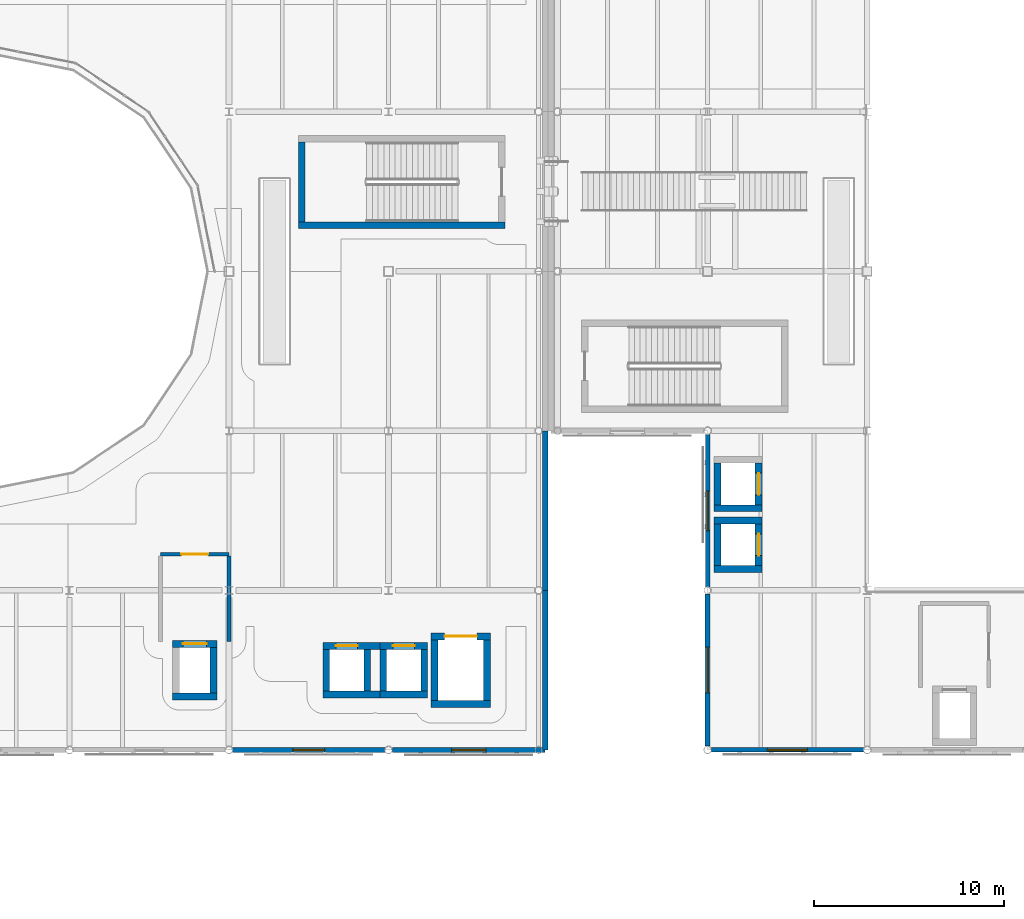
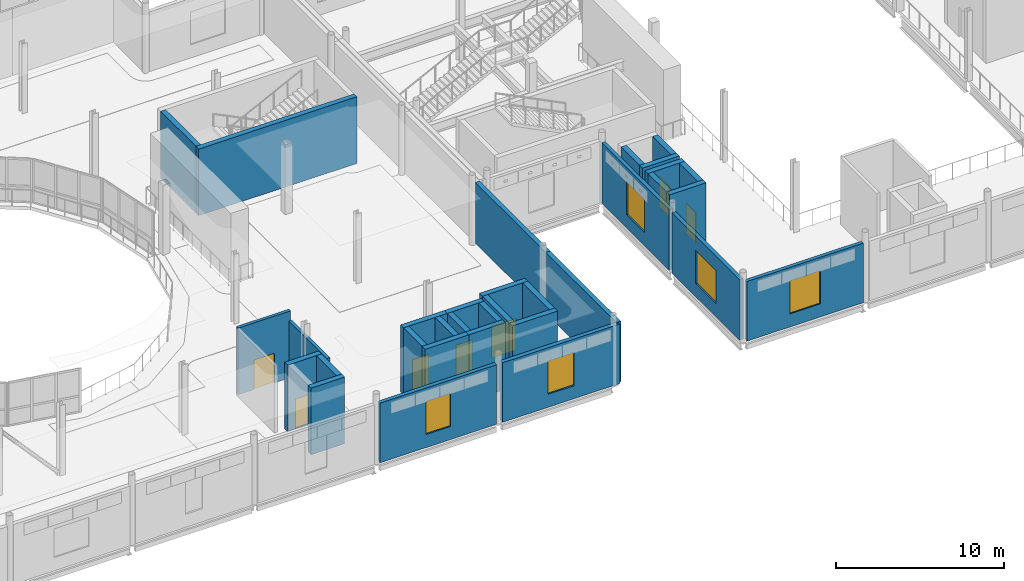
# One storey, part 66 of 104: 33 walls, 7 doors, 5 windows, 12 openings.
"""IFC4 building model written with IfcOpenShell, lengths in metres."""

from ifc_helpers import new_model, si_unit, direction, frame, frame_2d, origin, place, context, subcontext, project, spatial, rectangle, extrude, material, layer, layer_set, type_object, element, fill, save


model = new_model("IFC4")

# Units and contexts
model_context = context("Model", 3, precision=1e-05, world=origin(), true_north=direction((0.0, 1.0)))
body_context = subcontext(model_context, "Body", "Model", "MODEL_VIEW")
ifc_project = project(units=[si_unit("LENGTHUNIT", "METRE"), si_unit("AREAUNIT", "SQUARE_METRE"), si_unit("VOLUMEUNIT", "CUBIC_METRE"), si_unit("PLANEANGLEUNIT", "RADIAN"), si_unit("MASSUNIT", "GRAM", prefix="KILO"), si_unit("THERMODYNAMICTEMPERATUREUNIT", "KELVIN")], contexts=[model_context])

# Site, building, storey
site_placement = place(None, origin())
site = spatial("IfcSite", under=ifc_project, at=site_placement, CompositionType="ELEMENT")
building_placement = place(site_placement, origin())
building = spatial("IfcBuilding", under=site, at=building_placement, Name="Lustrewick Department Store", CompositionType="ELEMENT")
storey_placement = place(building_placement, frame((0.0, 0.0, 11.39990234375)))
storey = spatial("IfcBuildingStorey", under=building, at=storey_placement, Name="L03", CompositionType="ELEMENT", Elevation=11.39990234375)

# Wall, opening, window
ifc_material_1 = material(Name="Precast concrete C40", Category="concrete")
ifc_layer_1 = layer(ifc_material_1, 0.239990234375, Name="Precast concrete C40")
ifc_layer_set_1 = layer_set([ifc_layer_1], Name="Precast concrete C40")
wall_type_1 = type_object("IfcWallType", Name="EW01", PredefinedType="STANDARD", material=ifc_layer_set_1)
wall_1_placement = place(storey_placement, frame((67.39794921875, 42.0, 0.0), z_axis=(0.0, 0.0, 1.0), x_axis=(1.0, 0.0, 0.0)))
wall_1 = element("IfcWall", 1, at=wall_1_placement, inside=storey, type_object=wall_type_1, Name="L03 V2 Exterior Wall EW01", PredefinedType="STANDARD", context=body_context, shape_type="SweptSolid", body=[
    extrude(rectangle(XDim=8.004150390625, YDim=0.239990234375, at=frame_2d((4.001953125, 0.0))), origin(), (0.0, 0.0, 1.0), 4.3310546875),
])
opening_1_placement = place(wall_1_placement, frame((2.951904296875, 0.0, 0.949951171875)))
opening_1 = element("IfcOpeningElement", 2, at=opening_1_placement, cuts=wall_1, Name="Opening WN17", PredefinedType="OPENING", context=body_context, shape_type="SweptSolid", body=[
    extrude(rectangle(XDim=2.10009765625, YDim=2.39990234375, at=frame_2d((1.050048828125, 1.199951171875))), frame((0.0, 0.1298828125, 0.0), z_axis=(0.0, -1.0, 0.0), x_axis=(1.0, 0.0, 0.0)), (0.0, 0.0, 1.0), 0.260009765625),
])
ifc_material_2 = material(Name="Thermally broken Low-E triple-glazed window", Category="glass")
window_type_1 = type_object("IfcWindowType", Name="WN17", PartitioningType="DOUBLE_PANEL_VERTICAL", PredefinedType="WINDOW", material=ifc_material_2)
window_1_placement = place(opening_1_placement, origin())
window_1 = element("IfcWindow", 3, at=window_1_placement, inside=storey, type_object=window_type_1, Name="L03 Art Nouveau Window WN17", OverallHeight=2.39990234375, OverallWidth=2.10009765625, PartitioningType="SINGLE_PANEL", PredefinedType="WINDOW", context=body_context, shape_type="SweptSolid", body=[
    extrude(rectangle(XDim=2.10009765625, YDim=2.39990234375, at=frame_2d((1.050048828125, 1.199951171875))), frame((0.0, 0.030029296875, 0.0), z_axis=(0.0, -1.0, 0.0), x_axis=(1.0, 0.0, 0.0)), (0.0, 0.0, 1.0), 0.06005859375),
])
fill(opening_1, window_1)

wall_2_placement = place(storey_placement, frame((67.199951171875, 58.60205078125, 0.0), z_axis=(0.0, 0.0, 1.0), x_axis=(0.0, -1.0, 0.0)))
wall_2 = element("IfcWall", 4, at=wall_2_placement, inside=storey, type_object=wall_type_1, Name="L03 V2 Exterior Wall EW01", PredefinedType="STANDARD", context=body_context, shape_type="SweptSolid", body=[
    extrude(rectangle(XDim=8.0185546875, YDim=0.239990234375, at=frame_2d((4.00927734375, 0.0))), origin(), (0.0, 0.0, 1.0), 4.397216796875),
])
opening_2_placement = place(wall_2_placement, frame((2.959228515625, 0.0, 0.949951171875)))
opening_2 = element("IfcOpeningElement", 5, at=opening_2_placement, cuts=wall_2, Name="Opening WN17", PredefinedType="OPENING", context=body_context, shape_type="SweptSolid", body=[
    extrude(rectangle(XDim=2.10009765625, YDim=2.39990234375, at=frame_2d((1.050048828125, 1.199951171875))), frame((0.0, 0.1298828125, 0.0), z_axis=(0.0, -1.0, 0.0), x_axis=(1.0, 0.0, 0.0)), (0.0, 0.0, 1.0), 0.260009765625),
])
window_2_placement = place(opening_2_placement, origin())
window_2 = element("IfcWindow", 6, at=window_2_placement, inside=storey, type_object=window_type_1, Name="L03 Art Nouveau Window WN17", OverallHeight=2.39990234375, OverallWidth=2.10009765625, PartitioningType="SINGLE_PANEL", PredefinedType="WINDOW", context=body_context, shape_type="SweptSolid", body=[
    extrude(rectangle(XDim=2.10009765625, YDim=2.39990234375, at=frame_2d((1.050048828125, 1.199951171875))), frame((0.0, 0.030029296875, 0.0), z_axis=(0.0, -1.0, 0.0), x_axis=(1.0, 0.0, 0.0)), (0.0, 0.0, 1.0), 0.06005859375),
])
fill(opening_2, window_2)

ifc_layer_2 = layer(ifc_material_1, 0.260009765625, Name="Precast concrete C40")
ifc_layer_set_2 = layer_set([ifc_layer_2], Name="Precast concrete C40")
wall_type_2 = type_object("IfcWallType", Name="EW02", PredefinedType="STANDARD", material=ifc_layer_set_2)
wall_3_placement = place(storey_placement, frame((42.197998046875, 42.0, 0.0), z_axis=(0.0, 0.0, 1.0), x_axis=(1.0, 0.0, 0.0)))
wall_3 = element("IfcWall", 7, at=wall_3_placement, inside=storey, type_object=wall_type_2, Name="L03 V1 Exterior Wall EW02", PredefinedType="STANDARD", context=body_context, shape_type="SweptSolid", body=[
    extrude(rectangle(XDim=8.00390625, YDim=0.260009765625, at=frame_2d((4.001953125, 0.0))), origin(), (0.0, 0.0, 1.0), 4.3310546875),
])
opening_3_placement = place(wall_3_placement, frame((3.162109375, 0.0, 0.949951171875)))
opening_3 = element("IfcOpeningElement", 8, at=opening_3_placement, cuts=wall_3, Name="Opening WN15", PredefinedType="OPENING", context=body_context, shape_type="SweptSolid", body=[
    extrude(rectangle(XDim=1.679931640625, YDim=2.39990234375, at=frame_2d((0.83984375, 1.199951171875))), frame((0.0, 0.14013671875, 0.0), z_axis=(0.0, -1.0, 0.0), x_axis=(1.0, 0.0, 0.0)), (0.0, 0.0, 1.0), 0.280029296875),
])
window_type_2 = type_object("IfcWindowType", Name="WN15", PartitioningType="DOUBLE_PANEL_VERTICAL", PredefinedType="WINDOW", material=ifc_material_2)
window_3_placement = place(opening_3_placement, origin())
window_3 = element("IfcWindow", 9, at=window_3_placement, inside=storey, type_object=window_type_2, Name="L03 Art Nouveau Window WN15", OverallHeight=2.39990234375, OverallWidth=1.679931640625, PartitioningType="SINGLE_PANEL", PredefinedType="WINDOW", context=body_context, shape_type="SweptSolid", body=[
    extrude(rectangle(XDim=1.679931640625, YDim=2.39990234375, at=frame_2d((0.83984375, 1.199951171875))), frame((0.0, 0.030029296875, 0.0), z_axis=(0.0, -1.0, 0.0), x_axis=(1.0, 0.0, 0.0)), (0.0, 0.0, 1.0), 0.06005859375),
])
fill(opening_3, window_3)

wall_4_placement = place(storey_placement, frame((67.199951171875, 50.216552734375, 0.0), z_axis=(0.0, 0.0, 1.0), x_axis=(0.0, -1.0, 0.0)))
wall_4 = element("IfcWall", 10, at=wall_4_placement, inside=storey, type_object=wall_type_2, Name="L03 V2 Exterior Wall EW02", PredefinedType="STANDARD", context=body_context, shape_type="SweptSolid", body=[
    extrude(rectangle(XDim=8.0185546875, YDim=0.260009765625, at=frame_2d((4.00927734375, 0.0))), origin(), (0.0, 0.0, 1.0), 4.397216796875),
])
opening_4_placement = place(wall_4_placement, frame((2.809326171875, 0.0, 0.949951171875)))
opening_4 = element("IfcOpeningElement", 11, at=opening_4_placement, cuts=wall_4, Name="Opening WN18", PredefinedType="OPENING", context=body_context, shape_type="SweptSolid", body=[
    extrude(rectangle(XDim=2.39990234375, YDim=2.39990234375, at=frame_2d((1.199951171875, 1.199951171875))), frame((0.0, 0.14013671875, 0.0), z_axis=(0.0, -1.0, 0.0), x_axis=(1.0, 0.0, 0.0)), (0.0, 0.0, 1.0), 0.280029296875),
])
window_type_3 = type_object("IfcWindowType", Name="WN18", PartitioningType="DOUBLE_PANEL_VERTICAL", PredefinedType="WINDOW", material=ifc_material_2)
window_4_placement = place(opening_4_placement, origin())
window_4 = element("IfcWindow", 12, at=window_4_placement, inside=storey, type_object=window_type_3, Name="L03 Art Nouveau Window WN18", OverallHeight=2.39990234375, OverallWidth=2.39990234375, PartitioningType="SINGLE_PANEL", PredefinedType="WINDOW", context=body_context, shape_type="SweptSolid", body=[
    extrude(rectangle(XDim=2.39990234375, YDim=2.39990234375, at=frame_2d((1.199951171875, 1.199951171875))), frame((0.0, 0.030029296875, 0.0), z_axis=(0.0, -1.0, 0.0), x_axis=(1.0, 0.0, 0.0)), (0.0, 0.0, 1.0), 0.06005859375),
])
fill(opening_4, window_4)

ifc_layer_3 = layer(ifc_material_1, 0.280029296875, Name="Precast concrete C40")
ifc_layer_set_3 = layer_set([ifc_layer_3], Name="Precast concrete C40")
wall_type_3 = type_object("IfcWallType", Name="EW03", PredefinedType="STANDARD", material=ifc_layer_set_3)
wall_5_placement = place(storey_placement, frame((50.597900390625, 42.0, 0.0), z_axis=(0.0, 0.0, 1.0), x_axis=(1.0, 0.0, 0.0)))
wall_5 = element("IfcWall", 13, at=wall_5_placement, inside=storey, type_object=wall_type_3, Name="L03 V1 Exterior Wall EW03", PredefinedType="STANDARD", context=body_context, shape_type="SweptSolid", body=[
    extrude(rectangle(XDim=8.052001953125, YDim=0.280029296875, at=frame_2d((4.02587890625, 0.0))), origin(), (0.0, 0.0, 1.0), 4.3310546875),
])
opening_5_placement = place(wall_5_placement, frame((3.1259765625, 0.0, 0.949951171875)))
opening_5 = element("IfcOpeningElement", 14, at=opening_5_placement, cuts=wall_5, Name="Opening WN16", PredefinedType="OPENING", context=body_context, shape_type="SweptSolid", body=[
    extrude(rectangle(XDim=1.800048828125, YDim=2.39990234375, at=frame_2d((0.89990234375, 1.199951171875))), frame((0.0, 0.14990234375, 0.0), z_axis=(0.0, -1.0, 0.0), x_axis=(1.0, 0.0, 0.0)), (0.0, 0.0, 1.0), 0.300048828125),
])
window_type_4 = type_object("IfcWindowType", Name="WN16", PartitioningType="DOUBLE_PANEL_VERTICAL", PredefinedType="WINDOW", material=ifc_material_2)
window_5_placement = place(opening_5_placement, origin())
window_5 = element("IfcWindow", 15, at=window_5_placement, inside=storey, type_object=window_type_4, Name="L03 Art Nouveau Window WN16", OverallHeight=2.39990234375, OverallWidth=1.800048828125, PartitioningType="SINGLE_PANEL", PredefinedType="WINDOW", context=body_context, shape_type="SweptSolid", body=[
    extrude(rectangle(XDim=1.800048828125, YDim=2.39990234375, at=frame_2d((0.89990234375, 1.199951171875))), frame((0.0, 0.030029296875, 0.0), z_axis=(0.0, -1.0, 0.0), x_axis=(1.0, 0.0, 0.0)), (0.0, 0.0, 1.0), 0.06005859375),
])
fill(opening_5, window_5)

# Walls
ifc_layer_4 = layer(ifc_material_1, 0.300048828125, Name="Precast concrete C40")
ifc_layer_set_4 = layer_set([ifc_layer_4], Name="Precast concrete C40")
wall_type_4 = type_object("IfcWallType", Name="EW04", PredefinedType="STANDARD", material=ifc_layer_set_4)
wall_6_placement = place(storey_placement, frame((58.64990234375, 42.0, 0.0), z_axis=(0.0, 0.0, 1.0), x_axis=(0.0, 1.0, 0.0)))
element("IfcWall", 16, at=wall_6_placement, inside=storey, type_object=wall_type_4, Name="L03 V1 Exterior Wall EW04", PredefinedType="STANDARD", context=body_context, shape_type="SweptSolid", body=[
    extrude(rectangle(XDim=8.39990234375, YDim=0.300048828125, at=frame_2d((4.199951171875, 0.0))), origin(), (0.0, 0.0, 1.0), 4.397216796875),
])
wall_7_placement = place(storey_placement, frame((58.64990234375, 50.39990234375, 0.0), z_axis=(0.0, 0.0, 1.0), x_axis=(0.0, 1.0, 0.0)))
element("IfcWall", 17, at=wall_7_placement, inside=storey, type_object=wall_type_4, Name="L03 V1 Exterior Wall EW04", PredefinedType="STANDARD", context=body_context, shape_type="SweptSolid", body=[
    extrude(rectangle(XDim=8.400146484375, YDim=0.300048828125, at=frame_2d((4.2001953125, 0.0))), origin(), (0.0, 0.0, 1.0), 4.397216796875),
])

# Wall, opening, door
ifc_material_3 = material(Name="Autoclaved aerated concrete blockwork and fire board", Category="masonry")
ifc_layer_5 = layer(ifc_material_3, 0.205078125, Name="Autoclaved aerated concrete blockwork and fire board")
ifc_layer_set_5 = layer_set([ifc_layer_5], Name="Autoclaved aerated concrete blockwork and fire board")
wall_type_5 = type_object("IfcWallType", Name="PW02", PredefinedType="PARTITIONING", material=ifc_layer_set_5)
wall_8_placement = place(storey_placement, frame((42.0, 52.300048828125, 0.0), z_axis=(0.0, 0.0, 1.0), x_axis=(-1.0, 0.0, 0.0)))
wall_8 = element("IfcWall", 18, at=wall_8_placement, inside=storey, type_object=wall_type_5, Name="L03 Firefighting Lift Lobby FFL-01 PW02", PredefinedType="PARTITIONING", context=body_context, shape_type="SweptSolid", body=[
    extrude(rectangle(XDim=3.60009765625, YDim=0.205078125, at=frame_2d((1.800048828125, 0.0))), origin(), (0.0, 0.0, 1.0), 4.84521484375),
])
opening_6_placement = place(wall_8_placement, frame((1.10009765625, 0.0, 0.0)))
opening_6 = element("IfcOpeningElement", 19, at=opening_6_placement, cuts=wall_8, Name="Opening D-L03-041", PredefinedType="OPENING", context=body_context, shape_type="SweptSolid", body=[
    extrude(rectangle(XDim=1.39990234375, YDim=2.14990234375, at=frame_2d((0.699951171875, 1.074951171875))), frame((0.0, 0.112548828125, 0.0), z_axis=(0.0, -1.0, 0.0), x_axis=(1.0, 0.0, 0.0)), (0.0, 0.0, 1.0), 0.22509765625),
])
ifc_material_4 = material(Name="Steel fire door Class B EI 60", Category="steel")
door_type_1 = type_object("IfcDoorType", Name="DT-08", OperationType="NOTDEFINED", PredefinedType="DOOR", material=ifc_material_4)
door_1_placement = place(opening_6_placement, origin())
door_1 = element("IfcDoor", 20, at=door_1_placement, inside=storey, type_object=door_type_1, Name="L03 Firefighting Lift Lobby FFL-01 Door D-L03-041", OperationType="SINGLE_SWING_LEFT", OverallHeight=2.14990234375, OverallWidth=1.39990234375, PredefinedType="DOOR", context=body_context, shape_type="SweptSolid", body=[
    extrude(rectangle(XDim=1.39990234375, YDim=2.14990234375, at=frame_2d((0.699951171875, 1.074951171875))), frame((0.0, 0.02490234375, 0.0), z_axis=(0.0, -1.0, 0.0), x_axis=(1.0, 0.0, 0.0)), (0.0, 0.0, 1.0), 0.050048828125),
])
fill(opening_6, door_1)

# Walls
wall_9_placement = place(storey_placement, frame((42.0, 47.699951171875, 0.0), z_axis=(0.0, 0.0, 1.0), x_axis=(0.0, 1.0, 0.0)))
element("IfcWall", 21, at=wall_9_placement, inside=storey, type_object=wall_type_5, Name="L03 Firefighting Lift Lobby FFL-01 PW02", PredefinedType="PARTITIONING", context=body_context, shape_type="SweptSolid", body=[
    extrude(rectangle(XDim=4.50244140625, YDim=0.205078125, at=frame_2d((2.251220703125, 0.0))), origin(), (0.0, 0.0, 1.0), 4.13720703125),
])
ifc_material_5 = material(Name="Concrete C40", Category="concrete")
ifc_layer_6 = layer(ifc_material_5, 0.360107421875, Name="Concrete C40")
ifc_layer_set_6 = layer_set([ifc_layer_6], Name="Concrete C40")
wall_type_6 = type_object("IfcWallType", Name="SW04", PredefinedType="SHEAR", material=ifc_layer_set_6)
wall_10_placement = place(storey_placement, frame((39.0400390625, 44.820068359375, 0.0), z_axis=(0.0, 0.0, 1.0), x_axis=(1.0, 0.0, 0.0)))
element("IfcWall", 22, at=wall_10_placement, inside=storey, type_object=wall_type_6, Name="L03 Lift FFL-01 Shaft Wall -Y", PredefinedType="SHEAR", context=body_context, shape_type="SweptSolid", body=[
    extrude(rectangle(XDim=2.320068359375, YDim=0.360107421875, at=frame_2d((1.16015625, 0.0))), origin(), (0.0, 0.0, 1.0), 4.84521484375),
])
wall_11_placement = place(storey_placement, frame((41.179931640625, 45.0, 0.0), z_axis=(0.0, 0.0, 1.0), x_axis=(0.0, 1.0, 0.0)))
element("IfcWall", 23, at=wall_11_placement, inside=storey, type_object=wall_type_6, Name="L03 Lift FFL-01 Shaft Wall +X", PredefinedType="SHEAR", context=body_context, shape_type="SweptSolid", body=[
    extrude(rectangle(XDim=2.39990234375, YDim=0.360107421875, at=frame_2d((1.199951171875, 0.0))), origin(), (0.0, 0.0, 1.0), 4.84521484375),
])

# Wall, opening, door
wall_12_placement = place(storey_placement, frame((41.360107421875, 47.580078125, 0.0), z_axis=(0.0, 0.0, 1.0), x_axis=(-1.0, 0.0, 0.0)))
wall_12 = element("IfcWall", 24, at=wall_12_placement, inside=storey, type_object=wall_type_6, Name="L03 Lift FFL-01 Shaft Wall +Y", PredefinedType="SHEAR", context=body_context, shape_type="SweptSolid", body=[
    extrude(rectangle(XDim=2.320068359375, YDim=0.360107421875, at=frame_2d((1.16015625, 0.0))), origin(), (0.0, 0.0, 1.0), 4.84521484375),
])
opening_7_placement = place(wall_12_placement, frame((0.534912109375, 0.0, 0.0)))
opening_7 = element("IfcOpeningElement", 25, at=opening_7_placement, cuts=wall_12, Name="Opening LD-L03-01", PredefinedType="OPENING", context=body_context, shape_type="SweptSolid", body=[
    extrude(rectangle(XDim=1.25, YDim=2.199951171875, at=frame_2d((0.625, 1.10009765625))), frame((0.0, 0.18994140625, 0.0), z_axis=(0.0, -1.0, 0.0), x_axis=(1.0, 0.0, 0.0)), (0.0, 0.0, 1.0), 0.380126953125),
])
ifc_material_6 = material(Name="Stainless steel firefighting lift landing door EI 90", Category="steel")
door_type_2 = type_object("IfcDoorType", Name="DT-15", OperationType="NOTDEFINED", PredefinedType="DOOR", material=ifc_material_6)
door_2_placement = place(opening_7_placement, frame((1.25, 0.0, 0.0), z_axis=(0.0, 0.0, 1.0), x_axis=(-1.0, 0.0, 0.0)))
door_2 = element("IfcDoor", 26, at=door_2_placement, inside=storey, type_object=door_type_2, Name="L03 Lift FFL-01 Sliding Landing Door LD-L03-01", OperationType="DOUBLE_DOOR_SLIDING", OverallHeight=2.199951171875, OverallWidth=1.25, PredefinedType="DOOR", context=body_context, shape_type="SweptSolid", body=[
    extrude(rectangle(XDim=1.25, YDim=2.199951171875, at=frame_2d((0.625, 1.10009765625))), frame((0.0, 0.02490234375, 0.0), z_axis=(0.0, -1.0, 0.0), x_axis=(1.0, 0.0, 0.0)), (0.0, 0.0, 1.0), 0.050048828125),
])
fill(opening_7, door_2)

# Walls
wall_13_placement = place(storey_placement, frame((46.93994140625, 44.919921875, 0.0), z_axis=(0.0, 0.0, 1.0), x_axis=(1.0, 0.0, 0.0)))
element("IfcWall", 27, at=wall_13_placement, inside=storey, type_object=wall_type_6, Name="L03 Lift PL-01 Shaft Wall -Y", PredefinedType="SHEAR", context=body_context, shape_type="SweptSolid", body=[
    extrude(rectangle(XDim=3.0, YDim=0.360107421875, at=frame_2d((1.5, 0.0))), origin(), (0.0, 0.0, 1.0), 4.84521484375),
])
wall_14_placement = place(storey_placement, frame((49.280029296875, 45.10009765625, 0.0), z_axis=(0.0, 0.0, 1.0), x_axis=(0.0, 1.0, 0.0)))
element("IfcWall", 28, at=wall_14_placement, inside=storey, type_object=wall_type_6, Name="L03 Lift PL-01 Shaft Wall +X", PredefinedType="SHEAR", context=body_context, shape_type="SweptSolid", body=[
    extrude(rectangle(XDim=2.199951171875, YDim=0.360107421875, at=frame_2d((1.10009765625, 0.0))), origin(), (0.0, 0.0, 1.0), 4.84521484375),
])

# Wall, opening, door
wall_15_placement = place(storey_placement, frame((49.93994140625, 47.47998046875, 0.0), z_axis=(0.0, 0.0, 1.0), x_axis=(-1.0, 0.0, 0.0)))
wall_15 = element("IfcWall", 29, at=wall_15_placement, inside=storey, type_object=wall_type_6, Name="L03 Lift PL-01 Shaft Wall +Y", PredefinedType="SHEAR", context=body_context, shape_type="SweptSolid", body=[
    extrude(rectangle(XDim=3.0, YDim=0.360107421875, at=frame_2d((1.5, 0.0))), origin(), (0.0, 0.0, 1.0), 4.84521484375),
])
opening_8_placement = place(wall_15_placement, frame((1.1650390625, 0.0, 0.0)))
opening_8 = element("IfcOpeningElement", 30, at=opening_8_placement, cuts=wall_15, Name="Opening LD-L03-05", PredefinedType="OPENING", context=body_context, shape_type="SweptSolid", body=[
    extrude(rectangle(XDim=1.14990234375, YDim=2.199951171875, at=frame_2d((0.574951171875, 1.10009765625))), frame((0.0, 0.18994140625, 0.0), z_axis=(0.0, -1.0, 0.0), x_axis=(1.0, 0.0, 0.0)), (0.0, 0.0, 1.0), 0.380126953125),
])
ifc_material_7 = material(Name="Brushed bronze passenger lift landing door EI 60", Category="steel")
door_type_3 = type_object("IfcDoorType", Name="DT-16", OperationType="NOTDEFINED", PredefinedType="DOOR", material=ifc_material_7)
door_3_placement = place(opening_8_placement, frame((1.14990234375, 0.0, 0.0), z_axis=(0.0, 0.0, 1.0), x_axis=(-1.0, 0.0, 0.0)))
door_3 = element("IfcDoor", 31, at=door_3_placement, inside=storey, type_object=door_type_3, Name="L03 Lift PL-01 Sliding Landing Door LD-L03-05", OperationType="DOUBLE_DOOR_SLIDING", OverallHeight=2.199951171875, OverallWidth=1.14990234375, PredefinedType="DOOR", context=body_context, shape_type="SweptSolid", body=[
    extrude(rectangle(XDim=1.14990234375, YDim=2.199951171875, at=frame_2d((0.574951171875, 1.10009765625))), frame((0.0, 0.02490234375, 0.0), z_axis=(0.0, -1.0, 0.0), x_axis=(1.0, 0.0, 0.0)), (0.0, 0.0, 1.0), 0.050048828125),
])
fill(opening_8, door_3)

# Walls
wall_16_placement = place(storey_placement, frame((47.1201171875, 47.300048828125, 0.0), z_axis=(0.0, 0.0, 1.0), x_axis=(0.0, -1.0, 0.0)))
element("IfcWall", 32, at=wall_16_placement, inside=storey, type_object=wall_type_6, Name="L03 Lift PL-01 Shaft Wall -X", PredefinedType="SHEAR", context=body_context, shape_type="SweptSolid", body=[
    extrude(rectangle(XDim=2.199951171875, YDim=0.360107421875, at=frame_2d((1.10009765625, 0.0))), origin(), (0.0, 0.0, 1.0), 4.84521484375),
])
wall_17_placement = place(storey_placement, frame((49.93994140625, 44.919921875, 0.0), z_axis=(0.0, 0.0, 1.0), x_axis=(1.0, 0.0, 0.0)))
element("IfcWall", 33, at=wall_17_placement, inside=storey, type_object=wall_type_6, Name="L03 Lift PL-02 Shaft Wall -Y", PredefinedType="SHEAR", context=body_context, shape_type="SweptSolid", body=[
    extrude(rectangle(XDim=2.52001953125, YDim=0.360107421875, at=frame_2d((1.260009765625, 0.0))), origin(), (0.0, 0.0, 1.0), 4.84521484375),
])
wall_18_placement = place(storey_placement, frame((52.280029296875, 45.10009765625, 0.0), z_axis=(0.0, 0.0, 1.0), x_axis=(0.0, 1.0, 0.0)))
element("IfcWall", 34, at=wall_18_placement, inside=storey, type_object=wall_type_6, Name="L03 Lift PL-02 Shaft Wall +X", PredefinedType="SHEAR", context=body_context, shape_type="SweptSolid", body=[
    extrude(rectangle(XDim=2.199951171875, YDim=0.360107421875, at=frame_2d((1.10009765625, 0.0))), origin(), (0.0, 0.0, 1.0), 4.84521484375),
])

# Wall, opening, door
wall_19_placement = place(storey_placement, frame((52.4599609375, 47.47998046875, 0.0), z_axis=(0.0, 0.0, 1.0), x_axis=(-1.0, 0.0, 0.0)))
wall_19 = element("IfcWall", 35, at=wall_19_placement, inside=storey, type_object=wall_type_6, Name="L03 Lift PL-02 Shaft Wall +Y", PredefinedType="SHEAR", context=body_context, shape_type="SweptSolid", body=[
    extrude(rectangle(XDim=2.52001953125, YDim=0.360107421875, at=frame_2d((1.260009765625, 0.0))), origin(), (0.0, 0.0, 1.0), 4.84521484375),
])
opening_9_placement = place(wall_19_placement, frame((0.68505859375, 0.0, 0.0)))
opening_9 = element("IfcOpeningElement", 36, at=opening_9_placement, cuts=wall_19, Name="Opening LD-L03-06", PredefinedType="OPENING", context=body_context, shape_type="SweptSolid", body=[
    extrude(rectangle(XDim=1.14990234375, YDim=2.199951171875, at=frame_2d((0.574951171875, 1.10009765625))), frame((0.0, 0.18994140625, 0.0), z_axis=(0.0, -1.0, 0.0), x_axis=(1.0, 0.0, 0.0)), (0.0, 0.0, 1.0), 0.380126953125),
])
door_4_placement = place(opening_9_placement, frame((1.14990234375, 0.0, 0.0), z_axis=(0.0, 0.0, 1.0), x_axis=(-1.0, 0.0, 0.0)))
door_4 = element("IfcDoor", 37, at=door_4_placement, inside=storey, type_object=door_type_3, Name="L03 Lift PL-02 Sliding Landing Door LD-L03-06", OperationType="DOUBLE_DOOR_SLIDING", OverallHeight=2.199951171875, OverallWidth=1.14990234375, PredefinedType="DOOR", context=body_context, shape_type="SweptSolid", body=[
    extrude(rectangle(XDim=1.14990234375, YDim=2.199951171875, at=frame_2d((0.574951171875, 1.10009765625))), frame((0.0, 0.02490234375, 0.0), z_axis=(0.0, -1.0, 0.0), x_axis=(1.0, 0.0, 0.0)), (0.0, 0.0, 1.0), 0.050048828125),
])
fill(opening_9, door_4)

# Walls
wall_20_placement = place(storey_placement, frame((50.1201171875, 47.300048828125, 0.0), z_axis=(0.0, 0.0, 1.0), x_axis=(0.0, -1.0, 0.0)))
element("IfcWall", 38, at=wall_20_placement, inside=storey, type_object=wall_type_6, Name="L03 Lift PL-02 Shaft Wall -X", PredefinedType="SHEAR", context=body_context, shape_type="SweptSolid", body=[
    extrude(rectangle(XDim=2.199951171875, YDim=0.360107421875, at=frame_2d((1.10009765625, 0.0))), origin(), (0.0, 0.0, 1.0), 4.84521484375),
])
wall_21_placement = place(storey_placement, frame((67.5400390625, 51.52001953125, 0.0), z_axis=(0.0, 0.0, 1.0), x_axis=(1.0, 0.0, 0.0)))
element("IfcWall", 39, at=wall_21_placement, inside=storey, type_object=wall_type_6, Name="L03 Lift PL-03 Shaft Wall -Y", PredefinedType="SHEAR", context=body_context, shape_type="SweptSolid", body=[
    extrude(rectangle(XDim=2.52001953125, YDim=0.360107421875, at=frame_2d((1.260009765625, 0.0))), origin(), (0.0, 0.0, 1.0), 4.84521484375),
])

# Wall, opening, door
wall_22_placement = place(storey_placement, frame((69.8798828125, 51.699951171875, 0.0), z_axis=(0.0, 0.0, 1.0), x_axis=(0.0, 1.0, 0.0)))
wall_22 = element("IfcWall", 40, at=wall_22_placement, inside=storey, type_object=wall_type_6, Name="L03 Lift PL-03 Shaft Wall +X", PredefinedType="SHEAR", context=body_context, shape_type="SweptSolid", body=[
    extrude(rectangle(XDim=2.199951171875, YDim=0.360107421875, at=frame_2d((1.10009765625, 0.0))), origin(), (0.0, 0.0, 1.0), 4.84521484375),
])
opening_10_placement = place(wall_22_placement, frame((0.52490234375, 0.0, 0.0)))
opening_10 = element("IfcOpeningElement", 41, at=opening_10_placement, cuts=wall_22, Name="Opening LD-L03-07", PredefinedType="OPENING", context=body_context, shape_type="SweptSolid", body=[
    extrude(rectangle(XDim=1.14990234375, YDim=2.199951171875, at=frame_2d((0.574951171875, 1.10009765625))), frame((0.0, 0.18994140625, 0.0), z_axis=(0.0, -1.0, 0.0), x_axis=(1.0, 0.0, 0.0)), (0.0, 0.0, 1.0), 0.380126953125),
])
door_5_placement = place(opening_10_placement, frame((1.14990234375, 0.0, 0.0), z_axis=(0.0, 0.0, 1.0), x_axis=(-1.0, 0.0, 0.0)))
door_5 = element("IfcDoor", 42, at=door_5_placement, inside=storey, type_object=door_type_3, Name="L03 Lift PL-03 Sliding Landing Door LD-L03-07", OperationType="DOUBLE_DOOR_SLIDING", OverallHeight=2.199951171875, OverallWidth=1.14990234375, PredefinedType="DOOR", context=body_context, shape_type="SweptSolid", body=[
    extrude(rectangle(XDim=1.14990234375, YDim=2.199951171875, at=frame_2d((0.574951171875, 1.10009765625))), frame((0.0, 0.02490234375, 0.0), z_axis=(0.0, -1.0, 0.0), x_axis=(1.0, 0.0, 0.0)), (0.0, 0.0, 1.0), 0.050048828125),
])
fill(opening_10, door_5)

# Walls
wall_23_placement = place(storey_placement, frame((70.06005859375, 54.080078125, 0.0), z_axis=(0.0, 0.0, 1.0), x_axis=(-1.0, 0.0, 0.0)))
element("IfcWall", 43, at=wall_23_placement, inside=storey, type_object=wall_type_6, Name="L03 Lift PL-03 Shaft Wall +Y", PredefinedType="SHEAR", context=body_context, shape_type="SweptSolid", body=[
    extrude(rectangle(XDim=2.52001953125, YDim=0.360107421875, at=frame_2d((1.260009765625, 0.0))), origin(), (0.0, 0.0, 1.0), 4.84521484375),
])
wall_24_placement = place(storey_placement, frame((67.719970703125, 53.89990234375, 0.0), z_axis=(0.0, 0.0, 1.0), x_axis=(0.0, -1.0, 0.0)))
element("IfcWall", 44, at=wall_24_placement, inside=storey, type_object=wall_type_6, Name="L03 Lift PL-03 Shaft Wall -X", PredefinedType="SHEAR", context=body_context, shape_type="SweptSolid", body=[
    extrude(rectangle(XDim=2.199951171875, YDim=0.360107421875, at=frame_2d((1.10009765625, 0.0))), origin(), (0.0, 0.0, 1.0), 4.84521484375),
])
wall_25_placement = place(storey_placement, frame((67.5400390625, 54.719970703125, 0.0), z_axis=(0.0, 0.0, 1.0), x_axis=(1.0, 0.0, 0.0)))
element("IfcWall", 45, at=wall_25_placement, inside=storey, type_object=wall_type_6, Name="L03 Lift PL-04 Shaft Wall -Y", PredefinedType="SHEAR", context=body_context, shape_type="SweptSolid", body=[
    extrude(rectangle(XDim=2.52001953125, YDim=0.360107421875, at=frame_2d((1.260009765625, 0.0))), origin(), (0.0, 0.0, 1.0), 4.84521484375),
])

# Wall, opening, door
wall_26_placement = place(storey_placement, frame((69.8798828125, 54.89990234375, 0.0), z_axis=(0.0, 0.0, 1.0), x_axis=(0.0, 1.0, 0.0)))
wall_26 = element("IfcWall", 46, at=wall_26_placement, inside=storey, type_object=wall_type_6, Name="L03 Lift PL-04 Shaft Wall +X", PredefinedType="SHEAR", context=body_context, shape_type="SweptSolid", body=[
    extrude(rectangle(XDim=2.2001953125, YDim=0.360107421875, at=frame_2d((1.10009765625, 0.0))), origin(), (0.0, 0.0, 1.0), 4.84521484375),
])
opening_11_placement = place(wall_26_placement, frame((0.52490234375, 0.0, 0.0)))
opening_11 = element("IfcOpeningElement", 47, at=opening_11_placement, cuts=wall_26, Name="Opening LD-L03-08", PredefinedType="OPENING", context=body_context, shape_type="SweptSolid", body=[
    extrude(rectangle(XDim=1.14990234375, YDim=2.199951171875, at=frame_2d((0.574951171875, 1.10009765625))), frame((0.0, 0.18994140625, 0.0), z_axis=(0.0, -1.0, 0.0), x_axis=(1.0, 0.0, 0.0)), (0.0, 0.0, 1.0), 0.380126953125),
])
door_6_placement = place(opening_11_placement, frame((1.14990234375, 0.0, 0.0), z_axis=(0.0, 0.0, 1.0), x_axis=(-1.0, 0.0, 0.0)))
door_6 = element("IfcDoor", 48, at=door_6_placement, inside=storey, type_object=door_type_3, Name="L03 Lift PL-04 Sliding Landing Door LD-L03-08", OperationType="DOUBLE_DOOR_SLIDING", OverallHeight=2.199951171875, OverallWidth=1.14990234375, PredefinedType="DOOR", context=body_context, shape_type="SweptSolid", body=[
    extrude(rectangle(XDim=1.14990234375, YDim=2.199951171875, at=frame_2d((0.574951171875, 1.10009765625))), frame((0.0, 0.02490234375, 0.0), z_axis=(0.0, -1.0, 0.0), x_axis=(1.0, 0.0, 0.0)), (0.0, 0.0, 1.0), 0.050048828125),
])
fill(opening_11, door_6)

# Walls
wall_27_placement = place(storey_placement, frame((67.719970703125, 57.10009765625, 0.0), z_axis=(0.0, 0.0, 1.0), x_axis=(0.0, -1.0, 0.0)))
element("IfcWall", 49, at=wall_27_placement, inside=storey, type_object=wall_type_6, Name="L03 Lift PL-04 Shaft Wall -X", PredefinedType="SHEAR", context=body_context, shape_type="SweptSolid", body=[
    extrude(rectangle(XDim=2.2001953125, YDim=0.360107421875, at=frame_2d((1.10009765625, 0.0))), origin(), (0.0, 0.0, 1.0), 4.84521484375),
])
wall_28_placement = place(storey_placement, frame((52.639892578125, 44.419921875, 0.0), z_axis=(0.0, 0.0, 1.0), x_axis=(1.0, 0.0, 0.0)))
element("IfcWall", 50, at=wall_28_placement, inside=storey, type_object=wall_type_6, Name="L03 Lift GL-01 Shaft Wall -Y", PredefinedType="SHEAR", context=body_context, shape_type="SweptSolid", body=[
    extrude(rectangle(XDim=3.1201171875, YDim=0.360107421875, at=frame_2d((1.56005859375, 0.0))), origin(), (0.0, 0.0, 1.0), 4.84521484375),
])
wall_29_placement = place(storey_placement, frame((55.580078125, 44.60009765625, 0.0), z_axis=(0.0, 0.0, 1.0), x_axis=(0.0, 1.0, 0.0)))
element("IfcWall", 51, at=wall_29_placement, inside=storey, type_object=wall_type_6, Name="L03 Lift GL-01 Shaft Wall +X", PredefinedType="SHEAR", context=body_context, shape_type="SweptSolid", body=[
    extrude(rectangle(XDim=3.199951171875, YDim=0.360107421875, at=frame_2d((1.60009765625, 0.0))), origin(), (0.0, 0.0, 1.0), 4.84521484375),
])

# Wall, opening, door
wall_30_placement = place(storey_placement, frame((55.760009765625, 47.97998046875, 0.0), z_axis=(0.0, 0.0, 1.0), x_axis=(-1.0, 0.0, 0.0)))
wall_30 = element("IfcWall", 52, at=wall_30_placement, inside=storey, type_object=wall_type_6, Name="L03 Lift GL-01 Shaft Wall +Y", PredefinedType="SHEAR", context=body_context, shape_type="SweptSolid", body=[
    extrude(rectangle(XDim=3.1201171875, YDim=0.360107421875, at=frame_2d((1.56005859375, 0.0))), origin(), (0.0, 0.0, 1.0), 4.84521484375),
])
opening_12_placement = place(wall_30_placement, frame((0.7099609375, 0.0, 0.0)))
opening_12 = element("IfcOpeningElement", 53, at=opening_12_placement, cuts=wall_30, Name="Opening LD-L03-13", PredefinedType="OPENING", context=body_context, shape_type="SweptSolid", body=[
    extrude(rectangle(XDim=1.699951171875, YDim=2.300048828125, at=frame_2d((0.85009765625, 1.14990234375))), frame((0.0, 0.18994140625, 0.0), z_axis=(0.0, -1.0, 0.0), x_axis=(1.0, 0.0, 0.0)), (0.0, 0.0, 1.0), 0.380126953125),
])
ifc_material_8 = material(Name="Heavy-duty stainless goods lift landing door EI 90", Category="steel")
door_type_4 = type_object("IfcDoorType", Name="DT-17", OperationType="NOTDEFINED", PredefinedType="DOOR", material=ifc_material_8)
door_7_placement = place(opening_12_placement, frame((1.699951171875, 0.0, 0.0), z_axis=(0.0, 0.0, 1.0), x_axis=(-1.0, 0.0, 0.0)))
door_7 = element("IfcDoor", 54, at=door_7_placement, inside=storey, type_object=door_type_4, Name="L03 Lift GL-01 Sliding Landing Door LD-L03-13", OperationType="DOUBLE_DOOR_SLIDING", OverallHeight=2.300048828125, OverallWidth=1.699951171875, PredefinedType="DOOR", context=body_context, shape_type="SweptSolid", body=[
    extrude(rectangle(XDim=1.699951171875, YDim=2.300048828125, at=frame_2d((0.85009765625, 1.14990234375))), frame((0.0, 0.02490234375, 0.0), z_axis=(0.0, -1.0, 0.0), x_axis=(1.0, 0.0, 0.0)), (0.0, 0.0, 1.0), 0.050048828125),
])
fill(opening_12, door_7)

# Walls
wall_31_placement = place(storey_placement, frame((52.820068359375, 47.800048828125, 0.0), z_axis=(0.0, 0.0, 1.0), x_axis=(0.0, -1.0, 0.0)))
element("IfcWall", 55, at=wall_31_placement, inside=storey, type_object=wall_type_6, Name="L03 Lift GL-01 Shaft Wall -X", PredefinedType="SHEAR", context=body_context, shape_type="SweptSolid", body=[
    extrude(rectangle(XDim=3.199951171875, YDim=0.360107421875, at=frame_2d((1.60009765625, 0.0))), origin(), (0.0, 0.0, 1.0), 4.84521484375),
])
ifc_layer_7 = layer(ifc_material_5, 0.340087890625, Name="Concrete C40")
ifc_layer_set_7 = layer_set([ifc_layer_7], Name="Concrete C40")
wall_type_7 = type_object("IfcWallType", Name="SW05", PredefinedType="SHEAR", material=ifc_layer_set_7)
wall_32_placement = place(storey_placement, frame((45.659912109375, 69.6298828125, 0.0), z_axis=(0.0, 0.0, 1.0), x_axis=(1.0, 0.0, 0.0)))
element("IfcWall", 56, at=wall_32_placement, inside=storey, type_object=wall_type_7, Name="L03 Stair Core ST02 Shear Wall S", PredefinedType="SHEAR", context=body_context, shape_type="SweptSolid", body=[
    extrude(rectangle(XDim=10.880126953125, YDim=0.340087890625, at=frame_2d((5.43994140625, 0.0))), origin(), (0.0, 0.0, 1.0), 4.84521484375),
])
wall_33_placement = place(storey_placement, frame((45.830078125, 74.0, 0.0), z_axis=(0.0, 0.0, 1.0), x_axis=(0.0, -1.0, 0.0)))
element("IfcWall", 57, at=wall_33_placement, inside=storey, type_object=wall_type_7, Name="L03 Stair Core ST02 Shear Wall W", PredefinedType="SHEAR", context=body_context, shape_type="SweptSolid", body=[
    extrude(rectangle(XDim=4.199951171875, YDim=0.340087890625, at=frame_2d((2.10009765625, 0.0))), origin(), (0.0, 0.0, 1.0), 4.84521484375),
])

save(model, "model.ifc")
